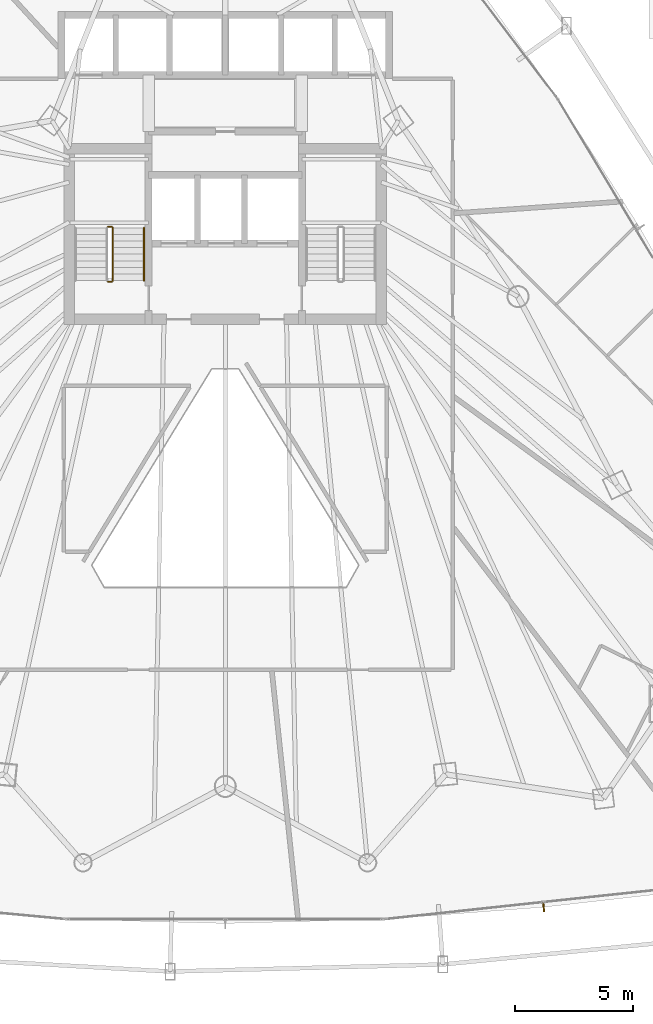
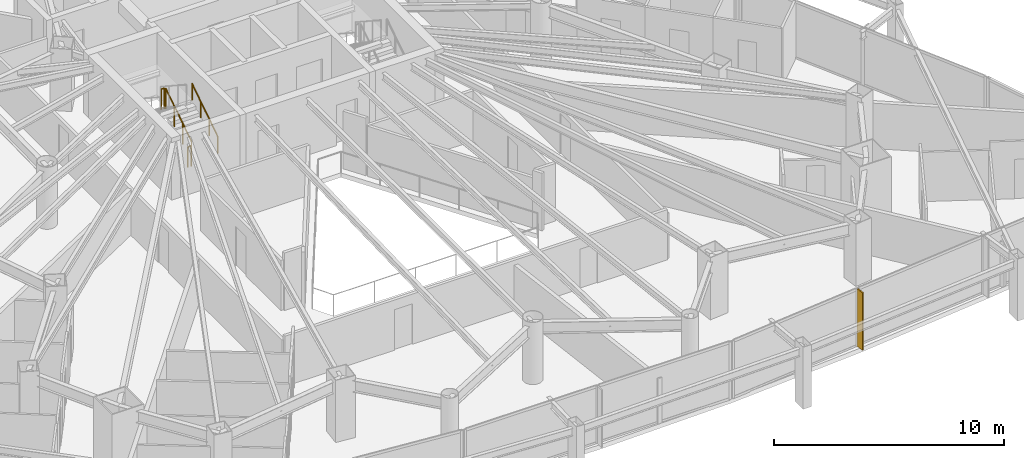
# One storey, part 33 of 35: 4 railings, 1 shading device.
"""IFC4 building model written with IfcOpenShell, lengths in metres."""

from ifc_helpers import new_model, si_unit, direction, frame, origin, origin_2d, place, context, subcontext, project, spatial, rectangle, circle, extrude, material, layer, layer_set, type_object, element, save


model = new_model("IFC4")

# Units and contexts
model_context = context("Model", 3, precision=1e-05, world=origin(), true_north=direction((0.0, 1.0)))
body_context = subcontext(model_context, "Body", "Model", "MODEL_VIEW")
ifc_project = project(units=[si_unit("LENGTHUNIT", "METRE"), si_unit("AREAUNIT", "SQUARE_METRE"), si_unit("VOLUMEUNIT", "CUBIC_METRE"), si_unit("PLANEANGLEUNIT", "RADIAN"), si_unit("MASSUNIT", "GRAM", prefix="KILO")], contexts=[model_context])

# Site, building, storey
site_placement = place(None, origin())
site = spatial("IfcSite", under=ifc_project, at=site_placement, CompositionType="ELEMENT")
building_placement = place(site_placement, origin())
building = spatial("IfcBuilding", under=site, at=building_placement, Name="Orvanel Arch Residences", CompositionType="ELEMENT")
storey_placement = place(building_placement, frame((0.0, 0.0, 26.89990234375)))
storey = spatial("IfcBuildingStorey", under=building, at=storey_placement, Name="L06", CompositionType="ELEMENT", Elevation=26.89990234375)

# Shading device
ifc_material_1 = material(Name="Bronze-anodised aluminium AA6063-T6", Category="aluminium")
ifc_layer = layer(ifc_material_1, 0.06005859375)
ifc_layer_set = layer_set([ifc_layer], Name="Bronze-anodised aluminium AA6063-T6")
shading_device_type = type_object("IfcShadingDeviceType", Name="FIN-BRZ-380", PredefinedType="USERDEFINED", material=ifc_layer_set)
shading_device_placement = place(storey_placement, frame((46.51806640625, 1.712890625, 0.0), z_axis=(0.0, 0.0, 1.0), x_axis=(0.106264071336, -0.994337944133, 0.0)))
element("IfcShadingDevice", 1, at=shading_device_placement, inside=storey, type_object=shading_device_type, Name="L06 Anodised Bronze Mullion FIN 01", ObjectType="FIN", PredefinedType="USERDEFINED", context=body_context, shape_type="SweptSolid", body=[
    extrude(rectangle(XDim=0.3798828125, YDim=0.06005859375, at=origin_2d()), origin(), (0.0, 0.0, 1.0), 3.06005859375),
])

# Railings
ifc_material_2 = material(Name="Structural steel AS/NZS 1163 C350L0 (Grade 350)", Category="steel")
railing_type_1 = type_object("IfcRailingType", Name="RL-STAIR-GUARD", PredefinedType="GUARDRAIL", material=ifc_material_2)
railing_1_placement = place(storey_placement, frame((28.22998046875, 28.320068359375, 0.183349609375)))
element("IfcRailing", 2, at=railing_1_placement, inside=storey, type_object=railing_type_1, Name="L06 ST-1 stair guard 1", PredefinedType="GUARDRAIL", context=body_context, shape_type="SweptSolid", body=[
    extrude(circle(Radius=0.02392578125, at=origin_2d()), frame((0.0, 0.001220703125, 1.076904296875), z_axis=(0.0, 0.836595146698, 0.547821650285), x_axis=(-1.0, 0.0, 0.0)), (0.0, 0.0, 1.0), 2.674560546875),
    extrude(circle(Radius=0.02099609375, at=origin_2d()), origin(), (0.0, 0.0, 1.0), 1.050048828125),
    extrude(circle(Radius=0.02099609375, at=origin_2d()), frame((0.0, 0.74658203125, 0.489013671875)), (0.0, 0.0, 1.0), 1.050048828125),
    extrude(circle(Radius=0.02099609375, at=origin_2d()), frame((0.0, 1.493408203125, 0.977783203125)), (0.0, 0.0, 1.0), 1.050048828125),
    extrude(circle(Radius=0.02099609375, at=origin_2d()), frame((0.0, 2.239990234375, 1.466796875)), (0.0, 0.0, 1.0), 1.050048828125),
])
for number, where, name in (
    (3, (28.179931640625, 30.610107421875, 1.650146484375), "L06 ST-1 stair guard 2"),
    (4, (28.179931640625, 28.27001953125, 0.0), "L06 ST-1 stair guard 4"),
):
    element("IfcRailing", number, at=place(storey_placement, frame(where)), inside=storey, type_object=railing_type_1, Name=name, PredefinedType="GUARDRAIL", context=body_context, shape_type="SweptSolid", body=[
        extrude(circle(Radius=0.02392578125, at=origin_2d()), frame((-0.00146484375, 0.0, 1.076171875), z_axis=(-1.0, 0.0, 0.0), x_axis=(0.0, -1.0, 0.0)), (0.0, 0.0, 1.0), 0.156982421875),
        extrude(circle(Radius=0.02099609375, at=origin_2d()), origin(), (0.0, 0.0, 1.0), 1.050048828125),
        extrude(circle(Radius=0.02099609375, at=origin_2d()), frame((-0.159912109375, 0.0, 0.0)), (0.0, 0.0, 1.0), 1.050048828125),
    ])
railing_type_2 = type_object("IfcRailingType", Name="RL-STAIR-HAND", PredefinedType="HANDRAIL", material=ifc_material_2)
railing_2_placement = place(storey_placement, frame((29.550048828125, 28.320068359375, 0.183349609375)))
element("IfcRailing", 5, at=railing_2_placement, inside=storey, type_object=railing_type_2, Name="L06 ST-1 stair handrail 1", PredefinedType="HANDRAIL", context=body_context, shape_type="SweptSolid", body=[
    extrude(circle(Radius=0.02392578125, at=origin_2d()), frame((0.0, 0.001220703125, 0.876708984375), z_axis=(0.0, 0.836595146698, 0.547821650285), x_axis=(-1.0, 0.0, 0.0)), (0.0, 0.0, 1.0), 2.674560546875),
    extrude(circle(Radius=0.02099609375, at=origin_2d()), origin(), (0.0, 0.0, 1.0), 0.849853515625),
    extrude(circle(Radius=0.02099609375, at=origin_2d()), frame((0.0, 0.74658203125, 0.489013671875)), (0.0, 0.0, 1.0), 0.849853515625),
    extrude(circle(Radius=0.02099609375, at=origin_2d()), frame((0.0, 1.493408203125, 0.977783203125)), (0.0, 0.0, 1.0), 0.849853515625),
    extrude(circle(Radius=0.02099609375, at=origin_2d()), frame((0.0, 2.239990234375, 1.466796875)), (0.0, 0.0, 1.0), 0.849853515625),
])

save(model, "model.ifc")
